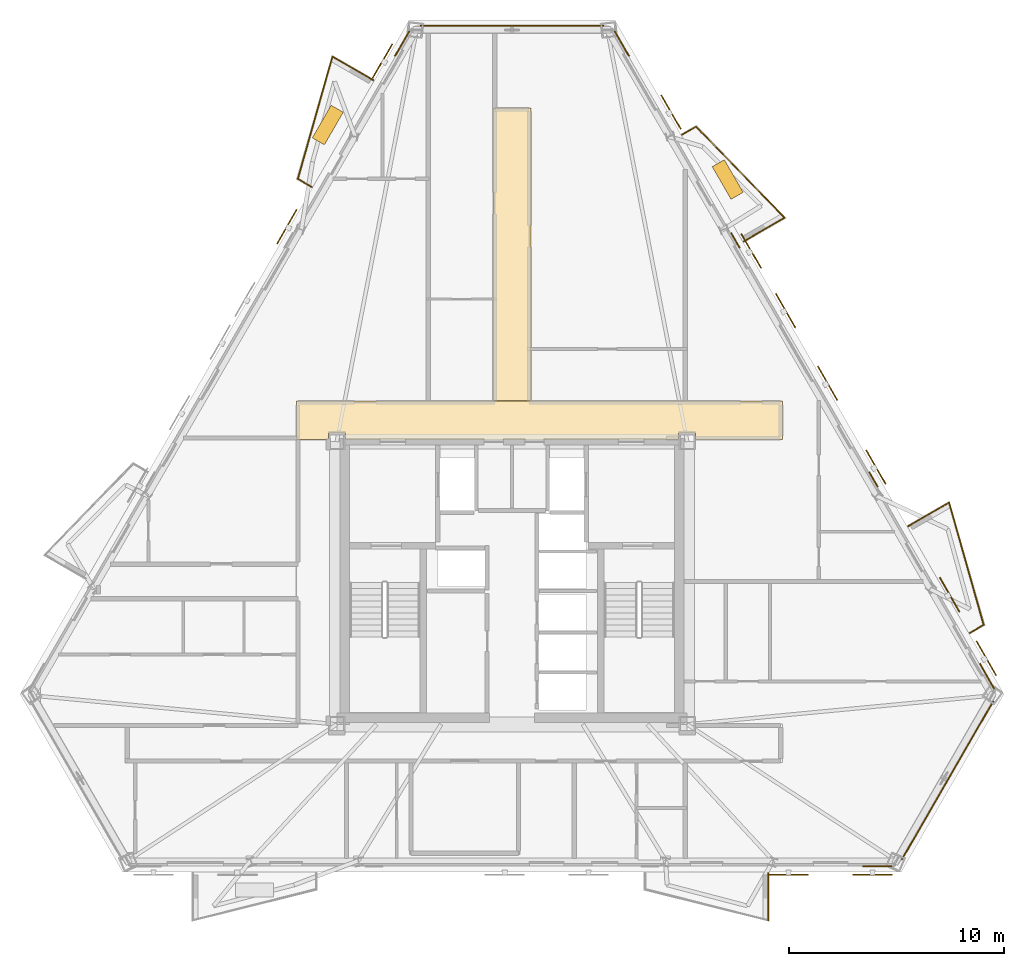
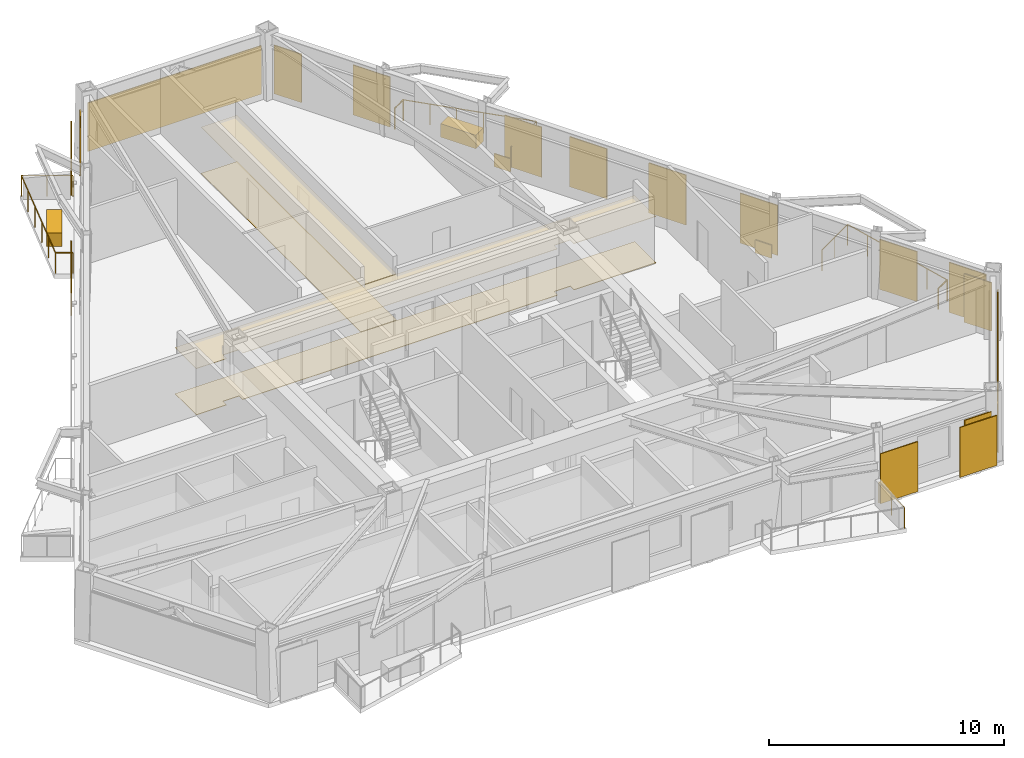
# One storey, part 9 of 9: 14 coverings, 11 shading devices, 10 railings.
"""IFC4 building model written with IfcOpenShell, lengths in metres."""

from ifc_helpers import new_model, si_unit, direction, frame, origin, origin_2d, place, context, subcontext, project, spatial, polyline, rectangle, circle, outline, extrude, material, layer, layer_set, type_object, element, save


model = new_model("IFC4")

# Units and contexts
model_context = context("Model", 3, precision=1e-05, world=origin(), true_north=direction((0.0, 1.0)))
body_context = subcontext(model_context, "Body", "Model", "MODEL_VIEW")
ifc_project = project(units=[si_unit("LENGTHUNIT", "METRE"), si_unit("AREAUNIT", "SQUARE_METRE"), si_unit("VOLUMEUNIT", "CUBIC_METRE"), si_unit("PLANEANGLEUNIT", "RADIAN"), si_unit("MASSUNIT", "GRAM", prefix="KILO")], contexts=[model_context])

# Site, building, storey
site_placement = place(None, origin())
site = spatial("IfcSite", under=ifc_project, at=site_placement, CompositionType="ELEMENT")
building_placement = place(site_placement, origin())
building = spatial("IfcBuilding", under=site, at=building_placement, Name="Oramaril Tower", CompositionType="ELEMENT")
storey_placement = place(building_placement, frame((0.0, 0.0, 160.199951171875)))
storey = spatial("IfcBuildingStorey", under=building, at=storey_placement, Name="L42", CompositionType="ELEMENT", Elevation=160.199951171875)

# Coverings
ifc_material_1 = material(Name="Mineral Fibre Acoustic Ceiling")
ifc_layer_1 = layer(ifc_material_1, 0.02001953125)
ifc_layer_set_1 = layer_set([ifc_layer_1], Name="CVT-CEIL")
covering_type_1 = type_object("IfcCoveringType", Name="CVT-CEIL", PredefinedType="CEILING", material=ifc_layer_set_1)
covering_1_placement = place(storey_placement, frame((0.0, 0.0, 2.412109375)))
element("IfcCovering", 1, at=covering_1_placement, inside=storey, type_object=covering_type_1, Name="L42 Acoustic Suspended Ceiling 2", PredefinedType="CEILING", context=body_context, shape_type="SweptSolid", body=[
    extrude(outline(polyline([(50.080078125, 24.239990234375), (46.044921875, 24.239990234375), (46.044921875, 24.544921875), (45.2548828125, 24.544921875), (45.2548828125, 24.25), (29.7451171875, 24.25), (29.7451171875, 24.544921875), (28.955078125, 24.544921875), (28.955078125, 24.239990234375), (27.469970703125, 24.239990234375), (27.469970703125, 26.050048828125), (50.080078125, 26.050048828125), (50.080078125, 24.239990234375)])), origin(), (0.0, 0.0, 1.0), 0.02001953125),
])
covering_2_placement = place(storey_placement, frame((0.0, 0.0, 2.412109375)))
element("IfcCovering", 2, at=covering_2_placement, inside=storey, type_object=covering_type_1, Name="L42 Acoustic Suspended Ceiling 4", PredefinedType="CEILING", context=body_context, shape_type="SweptSolid", body=[
    extrude(outline(polyline([(38.3798828125, 26.070068359375), (36.6201171875, 26.070068359375), (36.6201171875, 39.679931640625), (38.3798828125, 39.679931640625), (38.3798828125, 26.070068359375)])), origin(), (0.0, 0.0, 1.0), 0.02001953125),
])
ifc_material_2 = material(Name="Warm Cream Limestone", Category="masonry")
ifc_layer_2 = layer(ifc_material_2, 0.050048828125)
ifc_layer_set_2 = layer_set([ifc_layer_2], Name="CVT-CLD")
covering_type_2 = type_object("IfcCoveringType", Name="CVT-CLD", PredefinedType="CLADDING", material=ifc_layer_set_2)
covering_3_placement = place(storey_placement, frame((54.486328125, 4.393798828125, 0.0400390625), z_axis=(0.0, 0.0, 1.0), x_axis=(1.0, 0.0, 0.0)))
element("IfcCovering", 3, at=covering_3_placement, inside=storey, type_object=covering_type_2, Name="L42 Warm Cream Limestone Cladding", PredefinedType="CLADDING", context=body_context, shape_type="SweptSolid", body=[
    extrude(rectangle(XDim=1.35009765625, YDim=0.050048828125, at=origin_2d()), origin(), (0.0, 0.0, 1.0), 2.52001953125),
])
covering_4_placement = place(storey_placement, frame((57.76171875, 8.40185546875, 0.0400390625), z_axis=(0.0, 0.0, 1.0), x_axis=(0.500001511499, 0.866024531118, 0.0)))
element("IfcCovering", 4, at=covering_4_placement, inside=storey, type_object=covering_type_2, Name="L42 Warm Cream Limestone Cladding", PredefinedType="CLADDING", context=body_context, shape_type="SweptSolid", body=[
    extrude(rectangle(XDim=8.53369140625, YDim=0.050048828125, at=origin_2d()), origin(), (0.0, 0.0, 1.0), 2.52001953125),
])
for number, where, z_axis, x_axis, name in (
    (5, (59.59521484375, 13.24267578125, 0.0400390625), (0.0, 0.0, 1.0), (-0.5, 0.866025403784, 0.0), "L42 Warm Cream Limestone Cladding"),
    (6, (42.60888671875, 42.663818359375, 0.0400390625), (0.0, 0.0, 1.0), (-0.5, 0.866025403784, 0.0), "L42 Warm Cream Limestone Cladding"),
):
    element("IfcCovering", number, at=place(storey_placement, frame(where, z_axis=z_axis, x_axis=x_axis)), inside=storey, type_object=covering_type_2, Name=name, PredefinedType="CLADDING", context=body_context, shape_type="SweptSolid", body=[
        extrude(rectangle(XDim=1.35009765625, YDim=0.050048828125, at=origin_2d()), origin(), (0.0, 0.0, 1.0), 2.52001953125),
    ])
for number, where, z_axis, x_axis, name in (
    (7, (54.3125, 22.392333984375, 0.0400390625), (0.0, 0.0, 1.0), (-0.5, 0.866025403784, 0.0), "L42 Warm Cream Limestone Spandrel Cladding"),
    (8, (47.8916015625, 33.513916015625, 0.0400390625), (0.0, 0.0, 1.0), (-0.5, 0.866025403784, 0.0), "L42 Warm Cream Limestone Spandrel Cladding"),
):
    element("IfcCovering", number, at=place(storey_placement, frame(where, z_axis=z_axis, x_axis=x_axis)), inside=storey, type_object=covering_type_2, Name=name, PredefinedType="CLADDING", context=body_context, shape_type="SweptSolid", body=[
        extrude(rectangle(XDim=0.800048828125, YDim=0.050048828125, at=origin_2d()), origin(), (0.0, 0.0, 1.0), 0.679931640625),
    ])
covering_5_placement = place(storey_placement, frame((37.5, 43.496337890625, 0.0400390625), z_axis=(0.0, 0.0, 1.0), x_axis=(-1.0, 0.0, 0.0)))
element("IfcCovering", 9, at=covering_5_placement, inside=storey, type_object=covering_type_2, Name="L42 Warm Cream Limestone Cladding", PredefinedType="CLADDING", context=body_context, shape_type="SweptSolid", body=[
    extrude(rectangle(XDim=8.53369140625, YDim=0.050048828125, at=origin_2d()), origin(), (0.0, 0.0, 1.0), 2.52001953125),
])
covering_6_placement = place(storey_placement, frame((32.39111328125, 42.663818359375, 0.0400390625), z_axis=(0.0, 0.0, 1.0), x_axis=(-0.5, -0.866025403784, 0.0)))
element("IfcCovering", 10, at=covering_6_placement, inside=storey, type_object=covering_type_2, Name="L42 Warm Cream Limestone Cladding", PredefinedType="CLADDING", context=body_context, shape_type="SweptSolid", body=[
    extrude(rectangle(XDim=1.35009765625, YDim=0.050048828125, at=origin_2d()), origin(), (0.0, 0.0, 1.0), 2.52001953125),
])
for number, where, z_axis, x_axis, name in (
    (11, (47.531982421875, 36.343994140625, 0.0), (0.0, 0.0, 1.0), (-0.5, 0.866025403784, 0.0), "L42 Structural Tree Planter Box L42-BAL-NE2"),
    (12, (28.9306640625, 38.877197265625, 0.0), (0.0, 0.0, 1.0), (-0.5, -0.866025403784, 0.0), "L42 Structural Tree Planter Box L42-BAL-NW1"),
):
    element("IfcCovering", number, at=place(storey_placement, frame(where, z_axis=z_axis, x_axis=x_axis)), inside=storey, type_object=covering_type_2, Name=name, PredefinedType="CLADDING", context=body_context, shape_type="SweptSolid", body=[
        extrude(rectangle(XDim=1.75, YDim=0.64990234375, at=origin_2d()), origin(), (0.0, 0.0, 1.0), 0.699951171875),
    ])
ifc_material_3 = material(Name="Honed Quartzite Stone Flooring", Category="masonry")
ifc_layer_3 = layer(ifc_material_3, 0.02490234375)
ifc_layer_set_3 = layer_set([ifc_layer_3], Name="CVT-FLR")
covering_type_3 = type_object("IfcCoveringType", Name="CVT-FLR", PredefinedType="FLOORING", material=ifc_layer_set_3)
covering_7_placement = place(storey_placement, origin())
element("IfcCovering", 13, at=covering_7_placement, inside=storey, type_object=covering_type_3, Name="L42 Honed Stone Floor Finish 2", PredefinedType="FLOORING", context=body_context, shape_type="SweptSolid", body=[
    extrude(outline(polyline([(50.080078125, 24.239990234375), (46.044921875, 24.239990234375), (46.044921875, 24.544921875), (45.2548828125, 24.544921875), (45.2548828125, 24.25), (29.7451171875, 24.25), (29.7451171875, 24.544921875), (28.955078125, 24.544921875), (28.955078125, 24.239990234375), (27.469970703125, 24.239990234375), (27.469970703125, 26.050048828125), (50.080078125, 26.050048828125), (50.080078125, 24.239990234375)])), origin(), (0.0, 0.0, 1.0), 0.025146484375),
])
covering_8_placement = place(storey_placement, origin())
element("IfcCovering", 14, at=covering_8_placement, inside=storey, type_object=covering_type_3, Name="L42 Honed Stone Floor Finish 4", PredefinedType="FLOORING", context=body_context, shape_type="SweptSolid", body=[
    extrude(outline(polyline([(38.3798828125, 26.070068359375), (36.6201171875, 26.070068359375), (36.6201171875, 39.679931640625), (38.3798828125, 39.679931640625), (38.3798828125, 26.070068359375)])), origin(), (0.0, 0.0, 1.0), 0.025146484375),
])

# Railings
ifc_material_4 = material(Name="Stainless Steel 316L", Category="steel")
railing_type = type_object("IfcRailingType", Name="RLT-GRD", PredefinedType="GUARDRAIL", material=ifc_material_4)
railing_1_placement = place(storey_placement, frame((49.4169921875, 4.07861328125, 0.0)))
element("IfcRailing", 15, at=railing_1_placement, inside=storey, type_object=railing_type, Name="L42 Balcony Guardrail L42-BAL-S2.1", PredefinedType="GUARDRAIL", context=body_context, shape_type="SweptSolid", body=[
    extrude(circle(Radius=0.02392578125, at=origin_2d()), frame((0.0, 0.0, 1.076171875), z_axis=(0.0, -1.0, 0.0), x_axis=(1.0, 0.0, 0.0)), (0.0, 0.0, 1.0), 2.19189453125),
    extrude(circle(Radius=0.02099609375, at=origin_2d()), origin(), (0.0, 0.0, 1.0), 1.052001953125),
    extrude(circle(Radius=0.02099609375, at=origin_2d()), frame((0.0, -1.095947265625, 0.0)), (0.0, 0.0, 1.0), 1.052001953125),
    extrude(circle(Radius=0.02099609375, at=origin_2d()), frame((0.0, -2.19189453125, 0.0)), (0.0, 0.0, 1.0), 1.052001953125),
])
railing_2_placement = place(storey_placement, frame((55.930908203125, 20.219482421875, 0.0)))
element("IfcRailing", 16, at=railing_2_placement, inside=storey, type_object=railing_type, Name="L42 Balcony Guardrail L42-BAL-NE1.1", PredefinedType="GUARDRAIL", context=body_context, shape_type="SweptSolid", body=[
    extrude(circle(Radius=0.02392578125, at=origin_2d()), frame((0.0, 0.0, 1.076171875), z_axis=(0.866020500697, 0.5000084923, 0.0), x_axis=(-0.5000084923, 0.866020500697, 0.0)), (0.0, 0.0, 1.0), 2.19189453125),
    extrude(circle(Radius=0.02099609375, at=origin_2d()), origin(), (0.0, 0.0, 1.0), 1.052001953125),
    extrude(circle(Radius=0.02099609375, at=origin_2d()), frame((0.94921875, 0.5478515625, 0.0)), (0.0, 0.0, 1.0), 1.052001953125),
    extrude(circle(Radius=0.02099609375, at=origin_2d()), frame((1.898193359375, 1.095947265625, 0.0)), (0.0, 0.0, 1.0), 1.052001953125),
])
railing_3_placement = place(storey_placement, frame((57.8291015625, 21.3154296875, 0.0)))
element("IfcRailing", 17, at=railing_3_placement, inside=storey, type_object=railing_type, Name="L42 Balcony Guardrail L42-BAL-NE1.2", PredefinedType="GUARDRAIL", context=body_context, shape_type="SweptSolid", body=[
    extrude(circle(Radius=0.02392578125, at=origin_2d()), frame((0.0, 0.0, 1.076171875), z_axis=(0.272297931824, -0.962212989064, 0.0), x_axis=(0.962212989064, 0.272297931824, 0.0)), (0.0, 0.0, 1.0), 5.910400390625),
    extrude(circle(Radius=0.02099609375, at=origin_2d()), origin(), (0.0, 0.0, 1.0), 1.052001953125),
    extrude(circle(Radius=0.02099609375, at=origin_2d()), frame((0.32177734375, -1.137451171875, 0.0)), (0.0, 0.0, 1.0), 1.052001953125),
    extrude(circle(Radius=0.02099609375, at=origin_2d()), frame((0.643798828125, -2.27490234375, 0.0)), (0.0, 0.0, 1.0), 1.052001953125),
    extrude(circle(Radius=0.02099609375, at=origin_2d()), frame((0.965576171875, -3.412109375, 0.0)), (0.0, 0.0, 1.0), 1.052001953125),
    extrude(circle(Radius=0.02099609375, at=origin_2d()), frame((1.28759765625, -4.549560546875, 0.0)), (0.0, 0.0, 1.0), 1.052001953125),
    extrude(circle(Radius=0.02099609375, at=origin_2d()), frame((1.609375, -5.68701171875, 0.0)), (0.0, 0.0, 1.0), 1.052001953125),
])
railing_4_placement = place(storey_placement, frame((59.4384765625, 15.62841796875, 0.0)))
element("IfcRailing", 18, at=railing_4_placement, inside=storey, type_object=railing_type, Name="L42 Balcony Guardrail L42-BAL-NE1.3", PredefinedType="GUARDRAIL", context=body_context, shape_type="SweptSolid", body=[
    extrude(circle(Radius=0.02392578125, at=origin_2d()), frame((0.0, 0.0, 1.076171875), z_axis=(-0.865966403178, -0.500102178127, 0.0), x_axis=(0.500102178127, -0.865966403178, 0.0)), (0.0, 0.0, 1.0), 0.741943359375),
    extrude(circle(Radius=0.02099609375, at=origin_2d()), origin(), (0.0, 0.0, 1.0), 1.052001953125),
    extrude(circle(Radius=0.02099609375, at=origin_2d()), frame((-0.642578125, -0.37109375, 0.0)), (0.0, 0.0, 1.0), 1.052001953125),
])
railing_5_placement = place(storey_placement, frame((45.41650390625, 38.430908203125, 0.0)))
element("IfcRailing", 19, at=railing_5_placement, inside=storey, type_object=railing_type, Name="L42 Balcony Guardrail L42-BAL-NE2.1", PredefinedType="GUARDRAIL", context=body_context, shape_type="SweptSolid", body=[
    extrude(circle(Radius=0.02392578125, at=origin_2d()), frame((0.0, 0.0, 1.076171875), z_axis=(0.865966403178, 0.500102178127, 0.0), x_axis=(-0.500102178127, 0.865966403178, 0.0)), (0.0, 0.0, 1.0), 0.741943359375),
    extrude(circle(Radius=0.02099609375, at=origin_2d()), origin(), (0.0, 0.0, 1.0), 1.052001953125),
    extrude(circle(Radius=0.02099609375, at=origin_2d()), frame((0.642578125, 0.37109375, 0.0)), (0.0, 0.0, 1.0), 1.052001953125),
])
railing_6_placement = place(storey_placement, frame((46.05908203125, 38.802001953125, 0.0)))
element("IfcRailing", 20, at=railing_6_placement, inside=storey, type_object=railing_type, Name="L42 Balcony Guardrail L42-BAL-NE2.2", PredefinedType="GUARDRAIL", context=body_context, shape_type="SweptSolid", body=[
    extrude(circle(Radius=0.02392578125, at=origin_2d()), frame((0.0, 0.0, 1.076171875), z_axis=(0.697165686546, -0.716910040034, 0.0), x_axis=(0.716910040034, 0.697165686546, 0.0)), (0.0, 0.0, 1.0), 5.910400390625),
    extrude(circle(Radius=0.02099609375, at=origin_2d()), origin(), (0.0, 0.0, 1.0), 1.052001953125),
    extrude(circle(Radius=0.02099609375, at=origin_2d()), frame((0.82421875, -0.847412109375, 0.0)), (0.0, 0.0, 1.0), 1.052001953125),
    extrude(circle(Radius=0.02099609375, at=origin_2d()), frame((1.648193359375, -1.69482421875, 0.0)), (0.0, 0.0, 1.0), 1.052001953125),
    extrude(circle(Radius=0.02099609375, at=origin_2d()), frame((2.472412109375, -2.54248046875, 0.0)), (0.0, 0.0, 1.0), 1.052001953125),
    extrude(circle(Radius=0.02099609375, at=origin_2d()), frame((3.29638671875, -3.389892578125, 0.0)), (0.0, 0.0, 1.0), 1.052001953125),
    extrude(circle(Radius=0.02099609375, at=origin_2d()), frame((4.12060546875, -4.2373046875, 0.0)), (0.0, 0.0, 1.0), 1.052001953125),
])
railing_7_placement = place(storey_placement, frame((50.1796875, 34.564697265625, 0.0)))
element("IfcRailing", 21, at=railing_7_placement, inside=storey, type_object=railing_type, Name="L42 Balcony Guardrail L42-BAL-NE2.3", PredefinedType="GUARDRAIL", context=body_context, shape_type="SweptSolid", body=[
    extrude(circle(Radius=0.02392578125, at=origin_2d()), frame((0.0, 0.0, 1.076171875), z_axis=(-0.866020500697, -0.5000084923, 0.0), x_axis=(0.5000084923, -0.866020500697, 0.0)), (0.0, 0.0, 1.0), 2.19189453125),
    extrude(circle(Radius=0.02099609375, at=origin_2d()), origin(), (0.0, 0.0, 1.0), 1.052001953125),
    extrude(circle(Radius=0.02099609375, at=origin_2d()), frame((-0.94921875, -0.5478515625, 0.0)), (0.0, 0.0, 1.0), 1.052001953125),
    extrude(circle(Radius=0.02099609375, at=origin_2d()), frame((-1.898193359375, -1.095947265625, 0.0)), (0.0, 0.0, 1.0), 1.052001953125),
])
railing_8_placement = place(storey_placement, frame((28.180908203125, 36.001953125, 0.0)))
element("IfcRailing", 22, at=railing_8_placement, inside=storey, type_object=railing_type, Name="L42 Balcony Guardrail L42-BAL-NW1.1", PredefinedType="GUARDRAIL", context=body_context, shape_type="SweptSolid", body=[
    extrude(circle(Radius=0.02392578125, at=origin_2d()), frame((0.0, 0.0, 1.076171875), z_axis=(-0.866026623601, 0.49999788721, 0.0), x_axis=(-0.49999788721, -0.866026623601, 0.0)), (0.0, 0.0, 1.0), 0.74169921875),
    extrude(circle(Radius=0.02099609375, at=origin_2d()), origin(), (0.0, 0.0, 1.0), 1.052001953125),
    extrude(circle(Radius=0.02099609375, at=origin_2d()), frame((-0.642333984375, 0.370849609375, 0.0)), (0.0, 0.0, 1.0), 1.052001953125),
])
railing_9_placement = place(storey_placement, frame((27.53857421875, 36.372802734375, 0.0)))
element("IfcRailing", 23, at=railing_9_placement, inside=storey, type_object=railing_type, Name="L42 Balcony Guardrail L42-BAL-NW1.2", PredefinedType="GUARDRAIL", context=body_context, shape_type="SweptSolid", body=[
    extrude(circle(Radius=0.02392578125, at=origin_2d()), frame((0.0, 0.0, 1.076171875), z_axis=(0.27224886544, 0.962226873074, 0.0), x_axis=(-0.962226873074, 0.27224886544, 0.0)), (0.0, 0.0, 1.0), 5.910400390625),
    extrude(circle(Radius=0.02099609375, at=origin_2d()), origin(), (0.0, 0.0, 1.0), 1.052001953125),
    extrude(circle(Radius=0.02099609375, at=origin_2d()), frame((0.32177734375, 1.137451171875, 0.0)), (0.0, 0.0, 1.0), 1.052001953125),
    extrude(circle(Radius=0.02099609375, at=origin_2d()), frame((0.6435546875, 2.27490234375, 0.0)), (0.0, 0.0, 1.0), 1.052001953125),
    extrude(circle(Radius=0.02099609375, at=origin_2d()), frame((0.965576171875, 3.412353515625, 0.0)), (0.0, 0.0, 1.0), 1.052001953125),
    extrude(circle(Radius=0.02099609375, at=origin_2d()), frame((1.287353515625, 4.5498046875, 0.0)), (0.0, 0.0, 1.0), 1.052001953125),
    extrude(circle(Radius=0.02099609375, at=origin_2d()), frame((1.609130859375, 5.687255859375, 0.0)), (0.0, 0.0, 1.0), 1.052001953125),
])
railing_10_placement = place(storey_placement, frame((29.147705078125, 42.06005859375, 0.0)))
element("IfcRailing", 24, at=railing_10_placement, inside=storey, type_object=railing_type, Name="L42 Balcony Guardrail L42-BAL-NW1.3", PredefinedType="GUARDRAIL", context=body_context, shape_type="SweptSolid", body=[
    extrude(circle(Radius=0.02392578125, at=origin_2d()), frame((0.0, 0.0, 1.076171875), z_axis=(0.866020500697, -0.5000084923, 0.0), x_axis=(0.5000084923, 0.866020500697, 0.0)), (0.0, 0.0, 1.0), 2.19189453125),
    extrude(circle(Radius=0.02099609375, at=origin_2d()), origin(), (0.0, 0.0, 1.0), 1.052001953125),
    extrude(circle(Radius=0.02099609375, at=origin_2d()), frame((0.94921875, -0.5478515625, 0.0)), (0.0, 0.0, 1.0), 1.052001953125),
    extrude(circle(Radius=0.02099609375, at=origin_2d()), frame((1.898193359375, -1.095947265625, 0.0)), (0.0, 0.0, 1.0), 1.052001953125),
])

# Shading devices
for number, where, z_axis, x_axis, name in (
    (25, (50.36669921875, 4.006591796875, -0.02001953125), (0.0, 0.0, 1.0), (1.0, 0.0, 0.0), "L42 Perforated Ceramic Solar Screen"),
    (26, (54.2666015625, 4.006591796875, -0.02001953125), (0.0, 0.0, 1.0), (1.0, 0.0, 0.0), "L42 Perforated Ceramic Solar Screen"),
    (27, (59.560302734375, 14.076904296875, -0.02001953125), (0.0, 0.0, 1.0), (-0.5, 0.866025403784, 0.0), "L42 Perforated Ceramic Solar Screen"),
    (28, (57.855712890625, 17.029541015625, -0.02001953125), (0.0, 0.0, 1.0), (-0.5, 0.866025403784, 0.0), "L42 Perforated Ceramic Solar Screen"),
    (29, (52.177001953125, 26.865234375, -0.02001953125), (0.0, 0.0, 1.0), (-0.5, 0.866025403784, 0.0), "L42 Perforated Ceramic Solar Screen"),
    (30, (50.22705078125, 30.24267578125, -0.02001953125), (0.0, 0.0, 1.0), (-0.5, 0.866025403784, 0.0), "L42 Perforated Ceramic Solar Screen"),
    (31, (48.6259765625, 33.01611328125, -0.02001953125), (0.0, 0.0, 1.0), (-0.5, 0.866025403784, 0.0), "L42 Perforated Ceramic Solar Screen"),
    (32, (54.4287109375, 22.965087890625, -0.02001953125), (0.0, 0.0, 1.0), (-0.5, 0.866025403784, 0.0), "L42 Perforated Ceramic Solar Screen"),
    (33, (44.8955078125, 39.4775390625, -0.02001953125), (0.0, 0.0, 1.0), (-0.5, 0.866025403784, 0.0), "L42 Perforated Ceramic Solar Screen"),
    (34, (27.02685546875, 34.146484375, -0.02001953125), (0.0, 0.0, 1.0), (-0.5, -0.866025403784, 0.0), "L42 Perforated Ceramic Solar Screen"),
    (35, (31.476806640625, 41.8544921875, -0.02001953125), (0.0, 0.0, 1.0), (-0.5, -0.866025403784, 0.0), "L42 Perforated Ceramic Solar Screen"),
):
    element("IfcShadingDevice", number, at=place(storey_placement, frame(where, z_axis=z_axis, x_axis=x_axis)), inside=storey, Name=name, ObjectType="SCREEN", PredefinedType="USERDEFINED", context=body_context, shape_type="SweptSolid", body=[
        extrude(rectangle(XDim=1.8330078125, YDim=0.050048828125, at=origin_2d()), origin(), (0.0, 0.0, 1.0), 2.60009765625),
    ])

save(model, "model.ifc")
